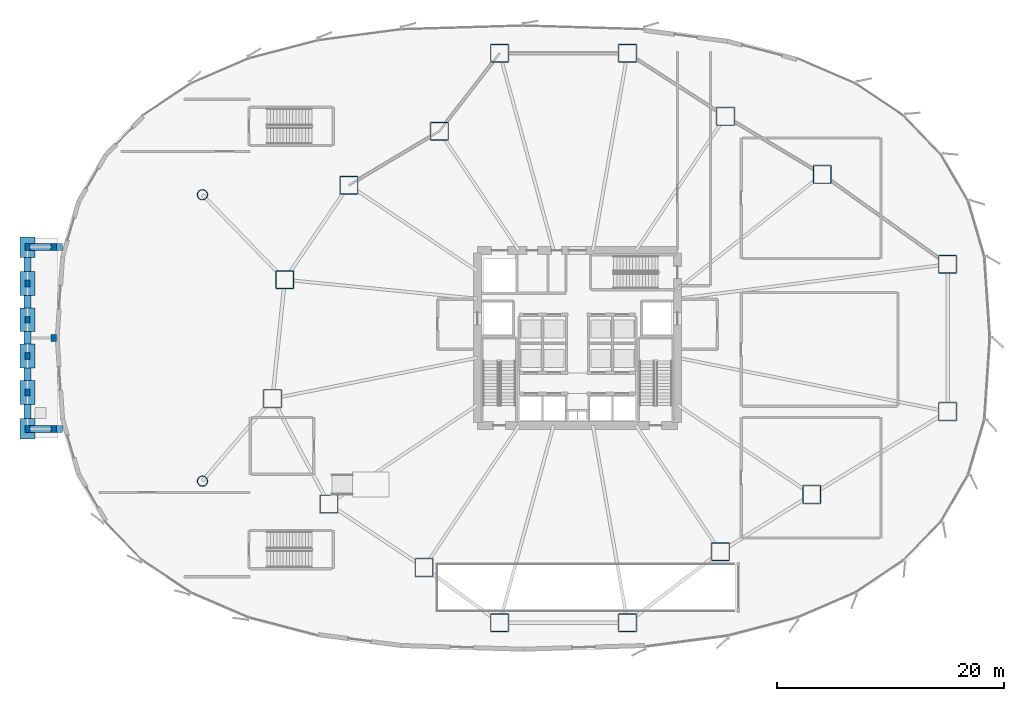
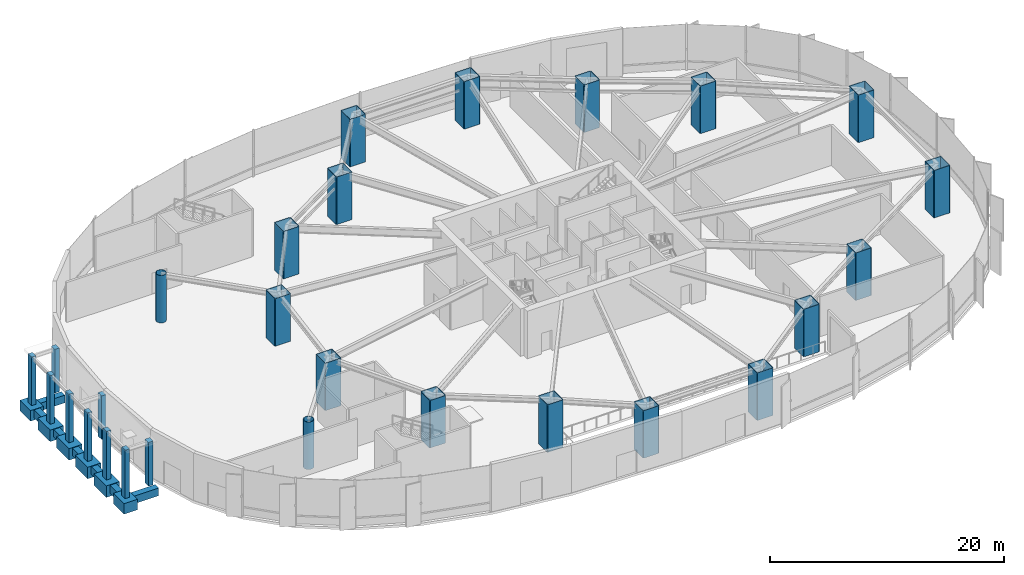
# One storey, part 1 of 35: 27 columns, 13 footings.
"""IFC4 building model written with IfcOpenShell, lengths in metres."""

from ifc_helpers import new_model, si_unit, direction, frame, origin, origin_2d, place, context, subcontext, project, spatial, rectangle, hollow_rectangle, hollow_circle, extrude, source, transform, mapped, material, material_profile, profile_set, type_object, element, save


model = new_model("IFC4")

# Units and contexts
model_context = context("Model", 3, precision=1e-05, world=origin(), true_north=direction((0.0, 1.0)))
body_context = subcontext(model_context, "Body", "Model", "MODEL_VIEW")
ifc_project = project(units=[si_unit("LENGTHUNIT", "METRE"), si_unit("AREAUNIT", "SQUARE_METRE"), si_unit("VOLUMEUNIT", "CUBIC_METRE"), si_unit("PLANEANGLEUNIT", "RADIAN"), si_unit("MASSUNIT", "GRAM", prefix="KILO"), si_unit("THERMODYNAMICTEMPERATUREUNIT", "KELVIN")], contexts=[model_context])

# Site, building, storey
site_placement = place(None, origin())
site = spatial("IfcSite", under=ifc_project, at=site_placement, CompositionType="ELEMENT")
building_placement = place(site_placement, origin())
building = spatial("IfcBuilding", under=site, at=building_placement, Name="Kethvar Cultural Tower", CompositionType="ELEMENT")
storey_placement = place(building_placement, origin())
storey = spatial("IfcBuildingStorey", under=building, at=storey_placement, Name="L00", CompositionType="ELEMENT", Elevation=0.0)

# Footings
ifc_material_1 = material(Name="Concrete C45/55", Category="concrete")
footing_type_1 = type_object("IfcFootingType", Name="FT-PAD-1800", PredefinedType="PAD_FOOTING", material=ifc_material_1)
shared_shape_1 = source(origin(), body_context, "Body", "SweptSolid", [
    extrude(rectangle(XDim=1.300048828125, YDim=1.800048828125, at=origin_2d()), origin(), (0.0, 0.0, 1.0), 1.10009765625),
])
for number, where, z_axis, x_axis, name in (
    (1, (-1.60009765625, 19.800048828125, -1.60009765625), (0.0, 0.0, 1.0), (1.0, 0.0, 0.0), "West Portico Pad Footing FP-01"),
    (2, (-1.60009765625, 35.800048828125, -1.60009765625), (0.0, 0.0, 1.0), (1.0, 0.0, 0.0), "West Portico Pad Footing FP-06"),
):
    element("IfcFooting", number, at=place(storey_placement, frame(where, z_axis=z_axis, x_axis=x_axis)), inside=storey, type_object=footing_type_1, Name=name, PredefinedType="PAD_FOOTING", context=body_context, shape_type="MappedRepresentation", body=[
        mapped(shared_shape_1, transform((0.0, 0.0, 0.0), scale=1.0)),
    ])
footing_type_2 = type_object("IfcFootingType", Name="FT-PAD-2100", PredefinedType="PAD_FOOTING", material=ifc_material_1)
shared_shape_2 = source(origin(), body_context, "Body", "SweptSolid", [
    extrude(rectangle(XDim=1.300048828125, YDim=2.10009765625, at=origin_2d()), origin(), (0.0, 0.0, 1.0), 1.199951171875),
])
for number, where, z_axis, x_axis, name in (
    (3, (-1.60009765625, 23.0, -1.7001953125), (0.0, 0.0, 1.0), (1.0, 0.0, 0.0), "West Portico Pad Footing FP-02"),
    (4, (-1.60009765625, 26.199951171875, -1.7001953125), (0.0, 0.0, 1.0), (1.0, 0.0, 0.0), "West Portico Pad Footing FP-03"),
    (5, (-1.60009765625, 29.39990234375, -1.7001953125), (0.0, 0.0, 1.0), (1.0, 0.0, 0.0), "West Portico Pad Footing FP-04"),
    (6, (-1.60009765625, 32.60009765625, -1.7001953125), (0.0, 0.0, 1.0), (1.0, 0.0, 0.0), "West Portico Pad Footing FP-05"),
):
    element("IfcFooting", number, at=place(storey_placement, frame(where, z_axis=z_axis, x_axis=x_axis)), inside=storey, type_object=footing_type_2, Name=name, PredefinedType="PAD_FOOTING", context=body_context, shape_type="MappedRepresentation", body=[
        mapped(shared_shape_2, transform((0.0, 0.0, 0.0), scale=1.0)),
    ])
ifc_material_profile_1 = material_profile(ifc_material_1, rectangle(XDim=0.60009765625, YDim=0.800048828125, at=origin_2d()), Name="Concrete C45/55 — RC600x800")
ifc_profile_set_1 = profile_set([ifc_material_profile_1], Name="Concrete C45/55 — RC600x800")
footing_type_3 = type_object("IfcFootingType", Name="FT-BEAM-600x800", PredefinedType="FOOTING_BEAM", material=ifc_profile_set_1)
shared_shape_3 = source(origin(), body_context, "Body", "SweptSolid", [
    extrude(rectangle(XDim=0.60009765625, YDim=0.800048828125, at=origin_2d()), origin(), (0.0, 0.0, 1.0), 1.25),
])
for number, where, z_axis, x_axis, name in (
    (7, (-1.60009765625, 20.699951171875, -0.949951171875), (0.0, 1.0, 0.0), (-1.0, 0.0, 0.0), "Ground Tie Beam FB-01"),
    (8, (-1.60009765625, 33.64990234375, -0.949951171875), (0.0, 1.0, 0.0), (-1.0, 0.0, 0.0), "Ground Tie Beam FB-05"),
):
    element("IfcFooting", number, at=place(storey_placement, frame(where, z_axis=z_axis, x_axis=x_axis)), inside=storey, type_object=footing_type_3, Name=name, PredefinedType="FOOTING_BEAM", context=body_context, shape_type="MappedRepresentation", body=[
        mapped(shared_shape_3, transform((0.0, 0.0, 0.0), scale=1.0)),
    ])
shared_shape_4 = source(origin(), body_context, "Body", "SweptSolid", [
    extrude(rectangle(XDim=0.60009765625, YDim=0.800048828125, at=origin_2d()), origin(), (0.0, 0.0, 1.0), 1.099853515625),
])
footing_placement = place(storey_placement, frame((-1.60009765625, 24.050048828125, -0.949951171875), z_axis=(0.0, 1.0, 0.0), x_axis=(-1.0, 0.0, 0.0)))
element("IfcFooting", 9, at=footing_placement, inside=storey, type_object=footing_type_3, Name="Ground Tie Beam FB-02", PredefinedType="FOOTING_BEAM", context=body_context, shape_type="MappedRepresentation", body=[
    mapped(shared_shape_4, transform((0.0, 0.0, 0.0), scale=1.0)),
])
shared_shape_5 = source(origin(), body_context, "Body", "SweptSolid", [
    extrude(rectangle(XDim=0.60009765625, YDim=0.800048828125, at=origin_2d()), origin(), (0.0, 0.0, 1.0), 1.10009765625),
])
for number, where, z_axis, x_axis, name in (
    (10, (-1.60009765625, 27.25, -0.949951171875), (0.0, 1.0, 0.0), (-1.0, 0.0, 0.0), "Ground Tie Beam FB-03"),
    (11, (-1.60009765625, 30.449951171875, -0.949951171875), (0.0, 1.0, 0.0), (-1.0, 0.0, 0.0), "Ground Tie Beam FB-04"),
):
    element("IfcFooting", number, at=place(storey_placement, frame(where, z_axis=z_axis, x_axis=x_axis)), inside=storey, type_object=footing_type_3, Name=name, PredefinedType="FOOTING_BEAM", context=body_context, shape_type="MappedRepresentation", body=[
        mapped(shared_shape_5, transform((0.0, 0.0, 0.0), scale=1.0)),
    ])
shared_shape_6 = source(origin(), body_context, "Body", "SweptSolid", [
    extrude(rectangle(XDim=0.60009765625, YDim=0.800048828125, at=origin_2d()), origin(), (0.0, 0.0, 1.0), 3.10009765625),
])
for number, where, z_axis, x_axis, name in (
    (12, (-1.60009765625, 19.800048828125, -0.949951171875), (1.0, 0.0, 0.0), (0.0, 1.0, 0.0), "Ground Tie Beam FB-06"),
    (13, (-1.60009765625, 35.800048828125, -0.949951171875), (1.0, 0.0, 0.0), (0.0, 1.0, 0.0), "Ground Tie Beam FB-07"),
):
    element("IfcFooting", number, at=place(storey_placement, frame(where, z_axis=z_axis, x_axis=x_axis)), inside=storey, type_object=footing_type_3, Name=name, PredefinedType="FOOTING_BEAM", context=body_context, shape_type="MappedRepresentation", body=[
        mapped(shared_shape_6, transform((0.0, 0.0, 0.0), scale=1.0)),
    ])

# Columns
ifc_material_2 = material(Name="Concrete C50/60", Category="concrete")
ifc_material_profile_2 = material_profile(ifc_material_2, rectangle(XDim=0.449951171875, YDim=0.60009765625, at=origin_2d()), Name="Concrete C50/60 — RC600x450")
ifc_profile_set_2 = profile_set([ifc_material_profile_2], Name="Concrete C50/60 — RC600x450")
column_type_1 = type_object("IfcColumnType", Name="COL-PILASTER-600", PredefinedType="PILASTER", material=ifc_profile_set_2)
shared_shape_7 = source(origin(), body_context, "Body", "SweptSolid", [
    extrude(rectangle(XDim=0.449951171875, YDim=0.60009765625, at=origin_2d()), origin(), (0.0, 0.0, 1.0), 5.050048828125),
])
for number, where, z_axis, x_axis, name in (
    (14, (-1.60009765625, 19.800048828125, -0.5), (0.0, 0.0, 1.0), (1.0, 0.0, 0.0), "West Entrance Front Pilaster CP-F01"),
    (15, (-1.60009765625, 23.0, -0.5), (0.0, 0.0, 1.0), (1.0, 0.0, 0.0), "West Entrance Front Pilaster CP-F02"),
    (16, (-1.60009765625, 26.199951171875, -0.5), (0.0, 0.0, 1.0), (1.0, 0.0, 0.0), "West Entrance Front Pilaster CP-F03"),
    (17, (-1.60009765625, 29.39990234375, -0.5), (0.0, 0.0, 1.0), (1.0, 0.0, 0.0), "West Entrance Front Pilaster CP-F04"),
    (18, (-1.60009765625, 32.60009765625, -0.5), (0.0, 0.0, 1.0), (1.0, 0.0, 0.0), "West Entrance Front Pilaster CP-F05"),
    (19, (-1.60009765625, 35.800048828125, -0.5), (0.0, 0.0, 1.0), (1.0, 0.0, 0.0), "West Entrance Front Pilaster CP-F06"),
):
    element("IfcColumn", number, at=place(storey_placement, frame(where, z_axis=z_axis, x_axis=x_axis)), inside=storey, type_object=column_type_1, Name=name, PredefinedType="PILASTER", context=body_context, shape_type="MappedRepresentation", body=[
        mapped(shared_shape_7, transform((0.0, 0.0, 0.0), scale=1.0)),
    ])
shared_shape_8 = source(origin(), body_context, "Body", "SweptSolid", [
    extrude(rectangle(XDim=0.449951171875, YDim=0.60009765625, at=origin_2d()), origin(), (0.0, 0.0, 1.0), 4.550048828125),
])
for number, where, z_axis, x_axis, name in (
    (20, (0.719970703125, 19.800048828125, 0.0), (0.0, 0.0, 1.0), (1.0, 0.0, 0.0), "West Entrance Rear Pilaster CP-R01"),
    (21, (0.719970703125, 27.800048828125, 0.0), (0.0, 0.0, 1.0), (1.0, 0.0, 0.0), "West Entrance Rear Pilaster CP-R02"),
    (22, (0.719970703125, 35.800048828125, 0.0), (0.0, 0.0, 1.0), (1.0, 0.0, 0.0), "West Entrance Rear Pilaster CP-R03"),
):
    element("IfcColumn", number, at=place(storey_placement, frame(where, z_axis=z_axis, x_axis=x_axis)), inside=storey, type_object=column_type_1, Name=name, PredefinedType="PILASTER", context=body_context, shape_type="MappedRepresentation", body=[
        mapped(shared_shape_8, transform((0.0, 0.0, 0.0), scale=1.0)),
    ])
ifc_material_3 = material(Name="Steel S460M", Category="steel")
ifc_material_profile_3 = material_profile(ifc_material_3, hollow_rectangle(XDim=1.60009765625, YDim=1.60009765625, WallThickness=0.06005859375, InnerFilletRadius=0.030029296875, OuterFilletRadius=0.090087890625, at=origin_2d()), Name="Steel S460M — BOX1600x1600x60")
ifc_profile_set_3 = profile_set([ifc_material_profile_3], Name="Steel S460M — BOX1600x1600x60")
column_type_2 = type_object("IfcColumnType", Name="COL-BOX1600", PredefinedType="COLUMN", material=ifc_profile_set_3)
shared_shape_9 = source(origin(), body_context, "Body", "SweptSolid", [
    extrude(hollow_rectangle(XDim=1.60009765625, YDim=1.60009765625, WallThickness=0.06005859375, InnerFilletRadius=0.030029296875, OuterFilletRadius=0.090087890625, at=origin_2d()), origin(), (0.0, 0.0, 1.0), 4.949951171875),
])
for number, where, z_axis, x_axis, name in (
    (23, (79.362060546875, 34.277099609375, 0.0), (0.0, 0.0, 1.0), (1.0, 0.0, 0.0), "L00 Podium Column C-01"),
    (24, (68.33642578125, 42.190185546875, 0.0), (0.0, 0.0, 1.0), (1.0, 0.0, 0.0), "L00 Podium Column C-02"),
    (25, (59.824951171875, 47.293212890625, 0.0), (0.0, 0.0, 1.0), (1.0, 0.0, 0.0), "L00 Podium Column C-03"),
    (26, (51.199951171875, 52.85009765625, 0.0), (0.0, 0.0, 1.0), (1.0, 0.0, 0.0), "L00 Podium Column C-04"),
    (27, (39.949951171875, 52.85009765625, 0.0), (0.0, 0.0, 1.0), (1.0, 0.0, 0.0), "L00 Podium Column C-05"),
    (28, (34.64599609375, 45.98974609375, 0.0), (0.0, 0.0, 1.0), (1.0, 0.0, 0.0), "L00 Podium Column C-06"),
    (29, (26.6845703125, 41.24072265625, 0.0), (0.0, 0.0, 1.0), (1.0, 0.0, 0.0), "L00 Podium Column C-07"),
    (30, (21.047119140625, 32.922607421875, 0.0), (0.0, 0.0, 1.0), (1.0, 0.0, 0.0), "L00 Podium Column C-08"),
    (31, (19.9658203125, 22.46240234375, 0.0), (0.0, 0.0, 1.0), (1.0, 0.0, 0.0), "L00 Podium Column C-09"),
    (32, (24.9248046875, 13.183349609375, 0.0), (0.0, 0.0, 1.0), (1.0, 0.0, 0.0), "L00 Podium Column C-10"),
    (33, (33.302001953125, 7.598876953125, 0.0), (0.0, 0.0, 1.0), (1.0, 0.0, 0.0), "L00 Podium Column C-11"),
    (34, (39.949951171875, 2.75, 0.0), (0.0, 0.0, 1.0), (1.0, 0.0, 0.0), "L00 Podium Column C-12"),
    (35, (51.199951171875, 2.75, 0.0), (0.0, 0.0, 1.0), (1.0, 0.0, 0.0), "L00 Podium Column C-13"),
    (36, (59.370361328125, 8.987060546875, 0.0), (0.0, 0.0, 1.0), (1.0, 0.0, 0.0), "L00 Podium Column C-14"),
    (37, (67.41845703125, 14.023193359375, 0.0), (0.0, 0.0, 1.0), (1.0, 0.0, 0.0), "L00 Podium Column C-15"),
    (38, (79.362060546875, 21.322998046875, 0.0), (0.0, 0.0, 1.0), (1.0, 0.0, 0.0), "L00 Podium Column C-16"),
):
    element("IfcColumn", number, at=place(storey_placement, frame(where, z_axis=z_axis, x_axis=x_axis)), inside=storey, type_object=column_type_2, Name=name, PredefinedType="COLUMN", context=body_context, shape_type="MappedRepresentation", body=[
        mapped(shared_shape_9, transform((0.0, 0.0, 0.0), scale=1.0)),
    ])
ifc_material_4 = material(Name="Steel S355J2", Category="steel")
ifc_material_profile_4 = material_profile(ifc_material_4, hollow_circle(Radius=0.45703125, WallThickness=0.031982421875, at=origin_2d()), Name="Steel S355J2 — CHS914x32")
ifc_profile_set_4 = profile_set([ifc_material_profile_4], Name="Steel S355J2 — CHS914x32")
column_type_3 = type_object("IfcColumnType", Name="COL-CHS914", PredefinedType="COLUMN", material=ifc_profile_set_4)
shared_shape_10 = source(origin(), body_context, "Body", "SweptSolid", [
    extrude(hollow_circle(Radius=0.45703125, WallThickness=0.031982421875, at=origin_2d()), origin(), (0.0, 0.0, 1.0), 4.949951171875),
])
for number, where, z_axis, x_axis, name in (
    (39, (13.800048828125, 15.199951171875, 0.0), (0.0, 0.0, 1.0), (1.0, 0.0, 0.0), "L00 Podium Column C-17"),
    (40, (13.800048828125, 40.39990234375, 0.0), (0.0, 0.0, 1.0), (1.0, 0.0, 0.0), "L00 Podium Column C-18"),
):
    element("IfcColumn", number, at=place(storey_placement, frame(where, z_axis=z_axis, x_axis=x_axis)), inside=storey, type_object=column_type_3, Name=name, PredefinedType="COLUMN", context=body_context, shape_type="MappedRepresentation", body=[
        mapped(shared_shape_10, transform((0.0, 0.0, 0.0), scale=1.0)),
    ])

save(model, "model.ifc")
